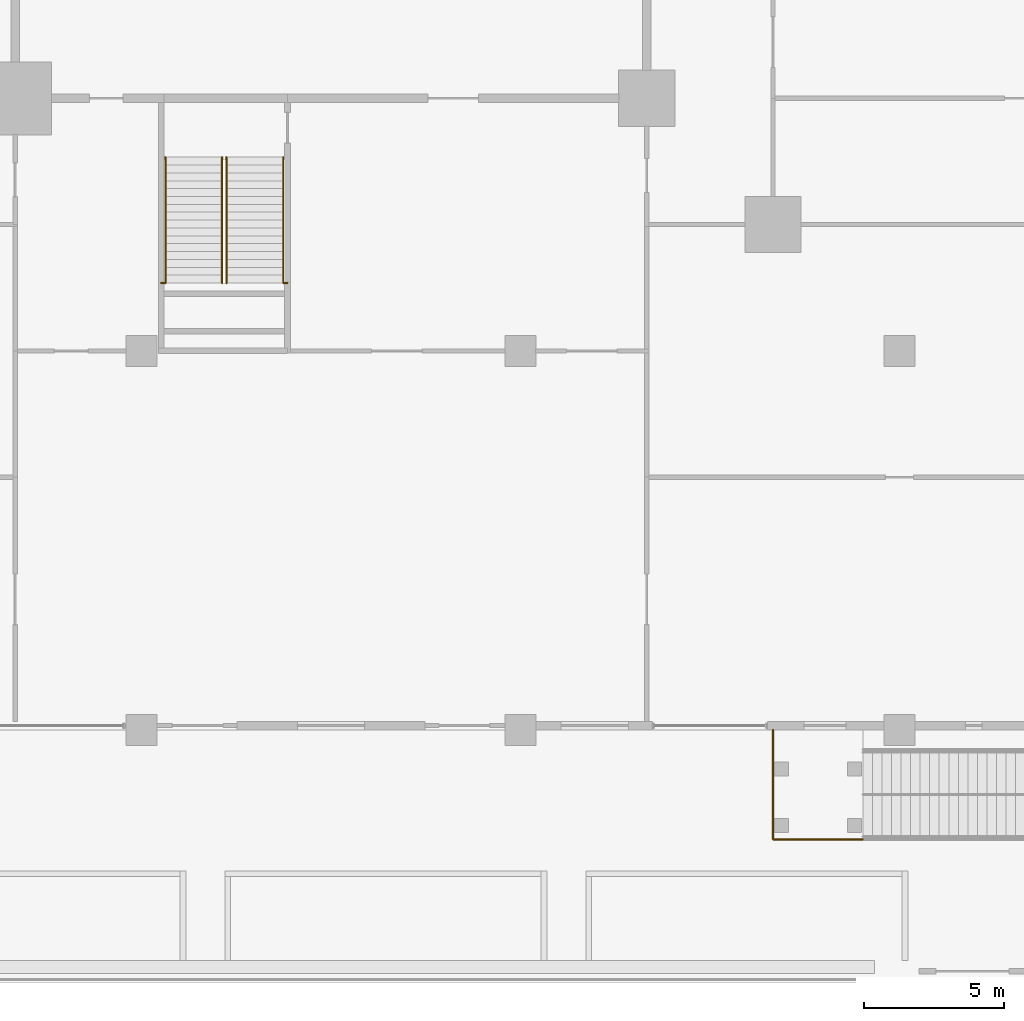
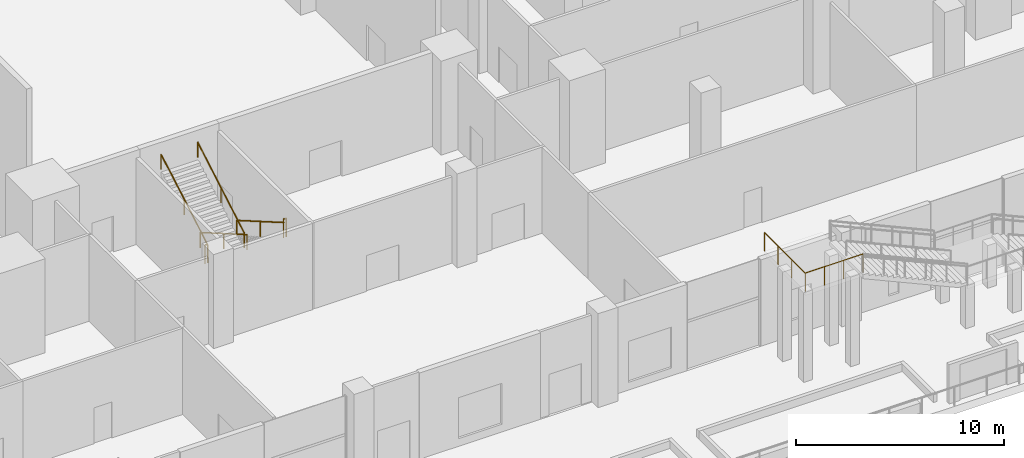
# One storey, part 43 of 47: 8 railings.
"""IFC4 building model written with IfcOpenShell, lengths in metres."""

from ifc_helpers import new_model, si_unit, direction, frame, origin, origin_2d, place, context, subcontext, project, spatial, circle, extrude, source, transform, mapped, material, type_object, element, save


model = new_model("IFC4")

# Units and contexts
model_context = context("Model", 3, precision=1e-05, world=origin(), true_north=direction((0.0, 1.0)))
body_context = subcontext(model_context, "Body", "Model", "MODEL_VIEW")
ifc_project = project(units=[si_unit("LENGTHUNIT", "METRE"), si_unit("AREAUNIT", "SQUARE_METRE"), si_unit("VOLUMEUNIT", "CUBIC_METRE"), si_unit("PLANEANGLEUNIT", "RADIAN"), si_unit("MASSUNIT", "GRAM", prefix="KILO")], contexts=[model_context])

# Site, building, storey
site_placement = place(None, origin())
site = spatial("IfcSite", under=ifc_project, at=site_placement, CompositionType="ELEMENT")
building_placement = place(site_placement, origin())
building = spatial("IfcBuilding", under=site, at=building_placement, Name="Altepetl Exchange Towers", CompositionType="ELEMENT")
storey_placement = place(building_placement, frame((0.0, 0.0, 6.0)))
storey = spatial("IfcBuildingStorey", under=building, at=storey_placement, Name="L01 Retail podium", CompositionType="ELEMENT", Elevation=6.0)

# Railings
ifc_material_1 = material(Name="Laminated glass and steel", Category="steel")
railing_type_1 = type_object("IfcRailingType", Name="Hall gallery guard 1100", PredefinedType="GUARDRAIL", material=ifc_material_1)
shared_shape_1 = source(origin(), body_context, "Body", "SweptSolid", [
    extrude(circle(Radius=0.02001953125, at=origin_2d()), origin(), (0.0, 0.0, 1.0), 1.050048828125),
])
railing_1_placement = place(storey_placement, frame((81.699951171875, 24.919921875, 2.75)))
element("IfcRailing", 1, at=railing_1_placement, inside=storey, type_object=railing_type_1, Name="rail:P:L01:PX1land0", PredefinedType="GUARDRAIL", context=body_context, shape_type="SweptSolid", body=[
    extrude(circle(Radius=0.02490234375, at=origin_2d()), frame((0.0, 0.0, 1.0751953125), z_axis=(-1.0, 0.0, 0.0), x_axis=(0.0, -1.0, 0.0)), (0.0, 0.0, 1.0), 0.14990234375),
    mapped(shared_shape_1, transform((0.0, 0.0, 0.0))),
    mapped(shared_shape_1, transform((-0.14990234375, 0.0, 0.0))),
])
railing_2_placement = place(storey_placement, frame((77.35009765625, 24.919921875, 2.75)))
element("IfcRailing", 2, at=railing_2_placement, inside=storey, type_object=railing_type_1, Name="rail:P:L01:PX1land1", PredefinedType="GUARDRAIL", context=body_context, shape_type="SweptSolid", body=[
    extrude(circle(Radius=0.02490234375, at=origin_2d()), frame((0.0, 0.0, 1.0751953125), z_axis=(-1.0, 0.0, 0.0), x_axis=(0.0, -1.0, 0.0)), (0.0, 0.0, 1.0), 0.150146484375),
    mapped(shared_shape_1, transform((0.0, 0.0, 0.0))),
    mapped(shared_shape_1, transform((-0.150146484375, 0.0, 0.0))),
])
railing_3_placement = place(storey_placement, frame((99.0, 9.0, 5.5)))
element("IfcRailing", 3, at=railing_3_placement, inside=storey, type_object=railing_type_1, Name="rail:P:L01:R1platform_end", PredefinedType="GUARDRAIL", context=body_context, shape_type="SweptSolid", body=[
    extrude(circle(Radius=0.02490234375, at=origin_2d()), frame((0.0, 0.0, 1.0751953125), z_axis=(0.0, -1.0, 0.0), x_axis=(1.0, 0.0, 0.0)), (0.0, 0.0, 1.0), 3.89990234375),
    mapped(shared_shape_1, transform((0.0, 0.0, 0.0))),
    mapped(shared_shape_1, transform((0.0, -1.300048828125, 0.0))),
    mapped(shared_shape_1, transform((0.0, -2.599853515625, 0.0))),
    mapped(shared_shape_1, transform((0.0, -3.89990234375, 0.0))),
])
railing_4_placement = place(storey_placement, frame((99.0, 5.10009765625, 5.5)))
element("IfcRailing", 4, at=railing_4_placement, inside=storey, type_object=railing_type_1, Name="rail:P:L01:R1platform_out", PredefinedType="GUARDRAIL", context=body_context, shape_type="SweptSolid", body=[
    extrude(circle(Radius=0.02490234375, at=origin_2d()), frame((0.0, 0.0, 1.0751953125), z_axis=(1.0, 0.0, 0.0), x_axis=(0.0, 1.0, 0.0)), (0.0, 0.0, 1.0), 3.199951171875),
    mapped(shared_shape_1, transform((0.0, 0.0, 0.0))),
    mapped(shared_shape_1, transform((1.066650390625, 0.0, 0.0))),
    mapped(shared_shape_1, transform((2.13330078125, 0.0, 0.0))),
    mapped(shared_shape_1, transform((3.199951171875, 0.0, 0.0))),
])
ifc_material_2 = material(Name="Stainless steel", Category="steel")
railing_type_2 = type_object("IfcRailingType", Name="Stair handrail 900", PredefinedType="HANDRAIL", material=ifc_material_2)
shared_shape_2 = source(origin(), body_context, "Body", "SweptSolid", [
    extrude(circle(Radius=0.02001953125, at=origin_2d()), origin(), (0.0, 0.0, 1.0), 0.849853515625),
])
for number, where, name in (
    (5, (81.550048828125, 29.39990234375, 0.161865234375), "rail:P:L01:PX1:1a"),
    (6, (79.52490234375, 29.39990234375, 0.161865234375), "rail:P:L01:PX1:1b"),
):
    element("IfcRailing", number, at=place(storey_placement, frame(where)), inside=storey, type_object=railing_type_2, Name=name, PredefinedType="HANDRAIL", context=body_context, shape_type="SweptSolid", body=[
        extrude(circle(Radius=0.02490234375, at=origin_2d()), frame((0.0, 0.0, 0.875), z_axis=(0.0, -0.865890054794, 0.500234358086), x_axis=(1.0, 0.0, 0.0)), (0.0, 0.0, 1.0), 5.173828125),
        mapped(shared_shape_2, transform((0.0, 0.0, 0.0))),
        mapped(shared_shape_2, transform((0.0, -2.239990234375, 1.2939453125))),
        mapped(shared_shape_2, transform((0.0, -4.47998046875, 2.588134765625))),
    ])
for number, where, name in (
    (7, (79.375, 24.919921875, 2.911865234375), "rail:P:L01:PX1:2a"),
    (8, (77.35009765625, 24.919921875, 2.911865234375), "rail:P:L01:PX1:2b"),
):
    element("IfcRailing", number, at=place(storey_placement, frame(where)), inside=storey, type_object=railing_type_2, Name=name, PredefinedType="HANDRAIL", context=body_context, shape_type="SweptSolid", body=[
        extrude(circle(Radius=0.02490234375, at=origin_2d()), frame((0.0, 0.0, 0.875), z_axis=(0.0, 0.865890054794, 0.500234358086), x_axis=(-1.0, 0.0, 0.0)), (0.0, 0.0, 1.0), 5.173828125),
        mapped(shared_shape_2, transform((0.0, 0.0, 0.0))),
        mapped(shared_shape_2, transform((0.0, 2.239990234375, 1.2939453125))),
        mapped(shared_shape_2, transform((0.0, 4.47998046875, 2.588134765625))),
    ])

save(model, "model.ifc")
